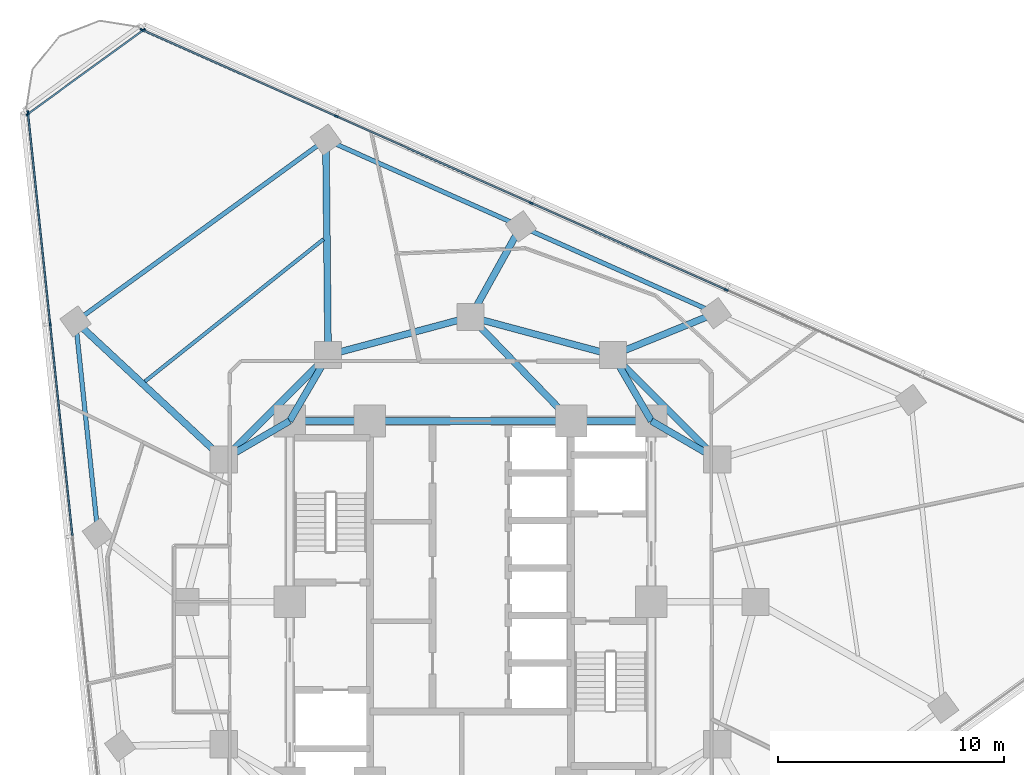
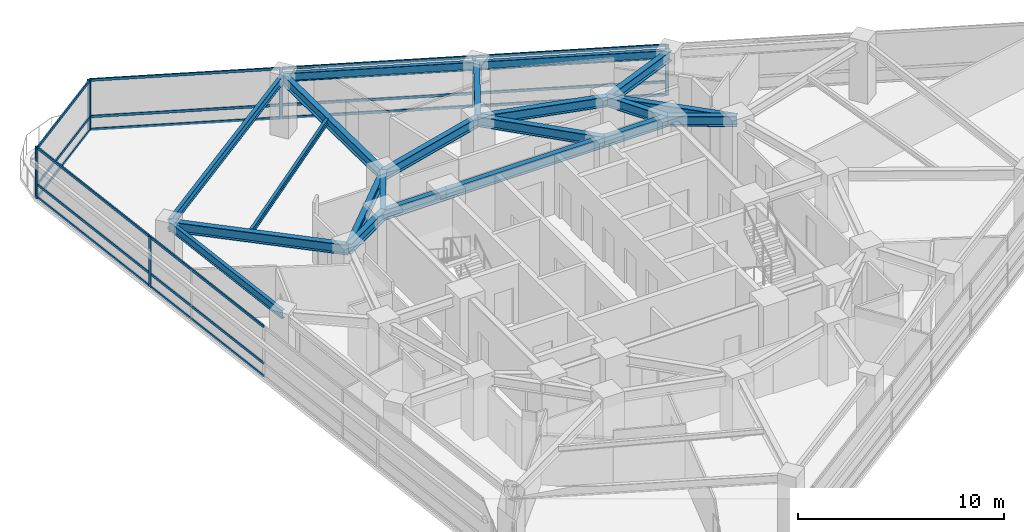
# One storey, part 5 of 14: 26 members, 21 beams, 3 elements without a shape of their own.
"""IFC4 building model written with IfcOpenShell, lengths in metres."""

from ifc_helpers import new_model, si_unit, direction, frame, origin, origin_2d, place, context, subcontext, project, spatial, rectangle, i_section, extrude, material, layer, layer_set, material_profile, profile_set, type_object, element, aggregate, save


model = new_model("IFC4")

# Units and contexts
model_context = context("Model", 3, precision=1e-05, world=origin(), true_north=direction((0.0, 1.0)))
body_context = subcontext(model_context, "Body", "Model", "MODEL_VIEW")
ifc_project = project(units=[si_unit("LENGTHUNIT", "METRE"), si_unit("AREAUNIT", "SQUARE_METRE"), si_unit("VOLUMEUNIT", "CUBIC_METRE"), si_unit("PLANEANGLEUNIT", "RADIAN"), si_unit("MASSUNIT", "GRAM", prefix="KILO")], contexts=[model_context])

# Site, building, storey
site_placement = place(None, origin())
site = spatial("IfcSite", under=ifc_project, at=site_placement, CompositionType="ELEMENT")
building_placement = place(site_placement, origin())
building = spatial("IfcBuilding", under=site, at=building_placement, Name="Terralouvre Media Tower", CompositionType="ELEMENT")
storey_placement = place(building_placement, frame((0.0, 0.0, 165.699951171875)))
storey = spatial("IfcBuildingStorey", under=building, at=storey_placement, Name="L42", CompositionType="ELEMENT", Elevation=165.699951171875)

# Beam
ifc_material_1 = material(Name="Structural steel S355J2", Category="steel")
ifc_material_profile_1 = material_profile(ifc_material_1, i_section(OverallWidth=0.159912109375, OverallDepth=0.330078125, WebThickness=0.007568359375, FlangeThickness=0.011474609375, at=origin_2d()), Name="IPE 330")
ifc_profile_set_1 = profile_set([ifc_material_profile_1], Name="Structural steel S355J2")
beam_type_1 = type_object("IfcBeamType", Name="Composite Floor Joist J-IPE330 (IPE 330)", PredefinedType="JOIST", material=ifc_profile_set_1)
beam_1_placement = place(storey_placement, frame((-6.500732421875, 16.037841796875, 3.3349609375), z_axis=(-0.782373963914, -0.622808943891, 0.0), x_axis=(0.622808943891, -0.782373963914, 0.0)))
element("IfcBeam", 1, at=beam_1_placement, inside=storey, type_object=beam_type_1, Name="L42 Framing Beam JT-L42-05", PredefinedType="JOIST", context=body_context, shape_type="SweptSolid", body=[
    extrude(i_section(OverallWidth=0.159912109375, OverallDepth=0.330078125, WebThickness=0.007568359375, FlangeThickness=0.011474609375, at=origin_2d()), origin(), (0.0, 0.0, 1.0), 10.0966796875),
])

# Curtain wall, members
ifc_material_2 = material(Name="Low-iron laminated double glazing with solar-control coating", Category="glass")
ifc_layer_1 = layer(ifc_material_2, 0.1650390625, Name="Production Studio Tower Curtain Wall CW-03")
ifc_layer_set_1 = layer_set([ifc_layer_1], Name="Low-iron laminated double glazing with solar-control coating")
curtain_wall_type_1 = type_object("IfcCurtainWallType", Name="Production Studio Tower Curtain Wall CW-03", PredefinedType="NOTDEFINED", material=ifc_layer_set_1)
curtain_wall_1_placement = place(storey_placement, origin())
curtain_wall_1 = element("IfcCurtainWall", 2, at=curtain_wall_1_placement, inside=storey, type_object=curtain_wall_type_1, Name="L42 Facade Curtain Wall F1", PredefinedType="NOTDEFINED")
ifc_material_3 = material(Name="Anodised extruded aluminium 6063-T6", Category="aluminium")
ifc_material_profile_2 = material_profile(ifc_material_3, rectangle(XDim=0.074951171875, YDim=0.14990234375, at=origin_2d()), Name="ALU 75x150")
ifc_profile_set_2 = profile_set([ifc_material_profile_2], Name="Anodised extruded aluminium 6063-T6")
member_type_1 = type_object("IfcMemberType", Name="Curtain-Wall Horizontal Transom TR-150", PredefinedType="USERDEFINED", material=ifc_profile_set_2)
member_1_placement = place(storey_placement, frame((11.27587890625, 13.8134765625, 0.03759765625), z_axis=(-0.913546899195, 0.40673340528, 0.0), x_axis=(-0.40673340528, -0.913546899195, 0.0)))
member_1 = element("IfcMember", 3, at=member_1_placement, type_object=member_type_1, Name="CW-03 transom 3.1", ObjectType="TRANSOM", PredefinedType="USERDEFINED", context=body_context, shape_type="SweptSolid", body=[
    extrude(rectangle(XDim=0.074951171875, YDim=0.14990234375, at=origin_2d()), origin(), (0.0, 0.0, 1.0), 9.364990234375),
])
member_2_placement = place(storey_placement, frame((11.27587890625, 13.8134765625, 0.800048828125), z_axis=(-0.913546899195, 0.40673340528, 0.0), x_axis=(-0.40673340528, -0.913546899195, 0.0)))
member_2 = element("IfcMember", 4, at=member_2_placement, type_object=member_type_1, Name="CW-03 transom 3.2", ObjectType="TRANSOM", PredefinedType="USERDEFINED", context=body_context, shape_type="SweptSolid", body=[
    extrude(rectangle(XDim=0.074951171875, YDim=0.14990234375, at=origin_2d()), origin(), (0.0, 0.0, 1.0), 9.364990234375),
])
member_3_placement = place(storey_placement, frame((11.27587890625, 13.8134765625, 2.962646484375), z_axis=(-0.913546899195, 0.40673340528, 0.0), x_axis=(-0.40673340528, -0.913546899195, 0.0)))
member_3 = element("IfcMember", 5, at=member_3_placement, type_object=member_type_1, Name="CW-03 transom 3.3", ObjectType="TRANSOM", PredefinedType="USERDEFINED", context=body_context, shape_type="SweptSolid", body=[
    extrude(rectangle(XDim=0.074951171875, YDim=0.14990234375, at=origin_2d()), origin(), (0.0, 0.0, 1.0), 9.364990234375),
])
member_4_placement = place(storey_placement, frame((2.65185546875, 17.653076171875, 0.03759765625), z_axis=(-0.913546899195, 0.40673340528, 0.0), x_axis=(-0.40673340528, -0.913546899195, 0.0)))
member_4 = element("IfcMember", 6, at=member_4_placement, type_object=member_type_1, Name="CW-03 transom 4.1", ObjectType="TRANSOM", PredefinedType="USERDEFINED", context=body_context, shape_type="SweptSolid", body=[
    extrude(rectangle(XDim=0.074951171875, YDim=0.14990234375, at=origin_2d()), origin(), (0.0, 0.0, 1.0), 9.364990234375),
])
member_5_placement = place(storey_placement, frame((2.65185546875, 17.653076171875, 0.800048828125), z_axis=(-0.913546899195, 0.40673340528, 0.0), x_axis=(-0.40673340528, -0.913546899195, 0.0)))
member_5 = element("IfcMember", 7, at=member_5_placement, type_object=member_type_1, Name="CW-03 transom 4.2", ObjectType="TRANSOM", PredefinedType="USERDEFINED", context=body_context, shape_type="SweptSolid", body=[
    extrude(rectangle(XDim=0.074951171875, YDim=0.14990234375, at=origin_2d()), origin(), (0.0, 0.0, 1.0), 9.364990234375),
])
member_6_placement = place(storey_placement, frame((2.65185546875, 17.653076171875, 2.962646484375), z_axis=(-0.913546899195, 0.40673340528, 0.0), x_axis=(-0.40673340528, -0.913546899195, 0.0)))
member_6 = element("IfcMember", 8, at=member_6_placement, type_object=member_type_1, Name="CW-03 transom 4.3", ObjectType="TRANSOM", PredefinedType="USERDEFINED", context=body_context, shape_type="SweptSolid", body=[
    extrude(rectangle(XDim=0.074951171875, YDim=0.14990234375, at=origin_2d()), origin(), (0.0, 0.0, 1.0), 9.364990234375),
])
member_7_placement = place(storey_placement, frame((-5.971923828125, 21.49267578125, 0.03759765625), z_axis=(-0.913553401339, 0.406718800774, 0.0), x_axis=(-0.406718800774, -0.913553401339, 0.0)))
member_7 = element("IfcMember", 9, at=member_7_placement, type_object=member_type_1, Name="CW-03 transom 5.1", ObjectType="TRANSOM", PredefinedType="USERDEFINED", context=body_context, shape_type="SweptSolid", body=[
    extrude(rectangle(XDim=0.074951171875, YDim=0.14990234375, at=origin_2d()), origin(), (0.0, 0.0, 1.0), 9.32763671875),
])
member_8_placement = place(storey_placement, frame((-5.971923828125, 21.49267578125, 0.800048828125), z_axis=(-0.913553401339, 0.406718800774, 0.0), x_axis=(-0.406718800774, -0.913553401339, 0.0)))
member_8 = element("IfcMember", 10, at=member_8_placement, type_object=member_type_1, Name="CW-03 transom 5.2", ObjectType="TRANSOM", PredefinedType="USERDEFINED", context=body_context, shape_type="SweptSolid", body=[
    extrude(rectangle(XDim=0.074951171875, YDim=0.14990234375, at=origin_2d()), origin(), (0.0, 0.0, 1.0), 9.32763671875),
])
member_9_placement = place(storey_placement, frame((-5.971923828125, 21.49267578125, 2.962646484375), z_axis=(-0.913553401339, 0.406718800774, 0.0), x_axis=(-0.406718800774, -0.913553401339, 0.0)))
member_9 = element("IfcMember", 11, at=member_9_placement, type_object=member_type_1, Name="CW-03 transom 5.3", ObjectType="TRANSOM", PredefinedType="USERDEFINED", context=body_context, shape_type="SweptSolid", body=[
    extrude(rectangle(XDim=0.074951171875, YDim=0.14990234375, at=origin_2d()), origin(), (0.0, 0.0, 1.0), 9.32763671875),
])

curtain_wall_2_placement = place(storey_placement, origin())
curtain_wall_2 = element("IfcCurtainWall", 12, at=curtain_wall_2_placement, inside=storey, type_object=curtain_wall_type_1, Name="L42 Facade Curtain Wall F2", PredefinedType="NOTDEFINED")
member_10_placement = place(storey_placement, frame((-19.5703125, 21.59765625, 0.03759765625), z_axis=(0.104540358364, -0.994520645071, 0.0), x_axis=(0.994520645071, 0.104540358364, 0.0)))
member_10 = element("IfcMember", 13, at=member_10_placement, type_object=member_type_1, Name="CW-03 transom 1.1", ObjectType="TRANSOM", PredefinedType="USERDEFINED", context=body_context, shape_type="SweptSolid", body=[
    extrude(rectangle(XDim=0.074951171875, YDim=0.14990234375, at=origin_2d()), origin(), (0.0, 0.0, 1.0), 9.327392578125),
])
member_11_placement = place(storey_placement, frame((-19.5703125, 21.59765625, 0.800048828125), z_axis=(0.104540358364, -0.994520645071, 0.0), x_axis=(0.994520645071, 0.104540358364, 0.0)))
member_11 = element("IfcMember", 14, at=member_11_placement, type_object=member_type_1, Name="CW-03 transom 1.2", ObjectType="TRANSOM", PredefinedType="USERDEFINED", context=body_context, shape_type="SweptSolid", body=[
    extrude(rectangle(XDim=0.074951171875, YDim=0.14990234375, at=origin_2d()), origin(), (0.0, 0.0, 1.0), 9.327392578125),
])
member_12_placement = place(storey_placement, frame((-19.5703125, 21.59765625, 2.962646484375), z_axis=(0.104540358364, -0.994520645071, 0.0), x_axis=(0.994520645071, 0.104540358364, 0.0)))
member_12 = element("IfcMember", 15, at=member_12_placement, type_object=member_type_1, Name="CW-03 transom 1.3", ObjectType="TRANSOM", PredefinedType="USERDEFINED", context=body_context, shape_type="SweptSolid", body=[
    extrude(rectangle(XDim=0.074951171875, YDim=0.14990234375, at=origin_2d()), origin(), (0.0, 0.0, 1.0), 9.327392578125),
])
member_13_placement = place(storey_placement, frame((-18.58740234375, 12.24658203125, 0.03759765625), z_axis=(0.104538223456, -0.994520869483, 0.0), x_axis=(0.994520869483, 0.104538223456, 0.0)))
member_13 = element("IfcMember", 16, at=member_13_placement, type_object=member_type_1, Name="CW-03 transom 2.1", ObjectType="TRANSOM", PredefinedType="USERDEFINED", context=body_context, shape_type="SweptSolid", body=[
    extrude(rectangle(XDim=0.074951171875, YDim=0.14990234375, at=origin_2d()), origin(), (0.0, 0.0, 1.0), 9.364990234375),
])
member_14_placement = place(storey_placement, frame((-18.58740234375, 12.24658203125, 0.800048828125), z_axis=(0.104538223456, -0.994520869483, 0.0), x_axis=(0.994520869483, 0.104538223456, 0.0)))
member_14 = element("IfcMember", 17, at=member_14_placement, type_object=member_type_1, Name="CW-03 transom 2.2", ObjectType="TRANSOM", PredefinedType="USERDEFINED", context=body_context, shape_type="SweptSolid", body=[
    extrude(rectangle(XDim=0.074951171875, YDim=0.14990234375, at=origin_2d()), origin(), (0.0, 0.0, 1.0), 9.364990234375),
])
member_15_placement = place(storey_placement, frame((-18.58740234375, 12.24658203125, 2.962646484375), z_axis=(0.104538223456, -0.994520869483, 0.0), x_axis=(0.994520869483, 0.104538223456, 0.0)))
member_15 = element("IfcMember", 18, at=member_15_placement, type_object=member_type_1, Name="CW-03 transom 2.3", ObjectType="TRANSOM", PredefinedType="USERDEFINED", context=body_context, shape_type="SweptSolid", body=[
    extrude(rectangle(XDim=0.074951171875, YDim=0.14990234375, at=origin_2d()), origin(), (0.0, 0.0, 1.0), 9.364990234375),
])

ifc_material_4 = material(Name="Low-iron laminated double glazing with solar-control coating", Category="glass")
ifc_layer_2 = layer(ifc_material_4, 0.1650390625, Name="Rounded Wind-Corner Curved Glazing CW-04")
ifc_layer_set_2 = layer_set([ifc_layer_2], Name="Low-iron laminated double glazing with solar-control coating")
curtain_wall_type_2 = type_object("IfcCurtainWallType", Name="Rounded Wind-Corner Curved Glazing CW-04", PredefinedType="NOTDEFINED", material=ifc_layer_set_2)
curtain_wall_3_placement = place(storey_placement, origin())
curtain_wall_3 = element("IfcCurtainWall", 19, at=curtain_wall_3_placement, inside=storey, type_object=curtain_wall_type_2, Name="L42 Rounded Wind-Corner Curtain Wall C2", PredefinedType="NOTDEFINED")
member_16_placement = place(storey_placement, frame((-14.4912109375, 25.269287109375, 0.03759765625), z_axis=(-0.809012644162, -0.587791239801, 0.0), x_axis=(0.587791239801, -0.809012644162, 0.0)))
member_16 = element("IfcMember", 20, at=member_16_placement, type_object=member_type_1, Name="CW-04 transom 1.1", ObjectType="TRANSOM", PredefinedType="USERDEFINED", context=body_context, shape_type="SweptSolid", body=[
    extrude(rectangle(XDim=0.074951171875, YDim=0.14990234375, at=origin_2d()), origin(), (0.0, 0.0, 1.0), 6.258544921875),
])
member_17_placement = place(storey_placement, frame((-14.4912109375, 25.269287109375, 0.800048828125), z_axis=(-0.809012644162, -0.587791239801, 0.0), x_axis=(0.587791239801, -0.809012644162, 0.0)))
member_17 = element("IfcMember", 21, at=member_17_placement, type_object=member_type_1, Name="CW-04 transom 1.2", ObjectType="TRANSOM", PredefinedType="USERDEFINED", context=body_context, shape_type="SweptSolid", body=[
    extrude(rectangle(XDim=0.074951171875, YDim=0.14990234375, at=origin_2d()), origin(), (0.0, 0.0, 1.0), 6.258544921875),
])
member_18_placement = place(storey_placement, frame((-14.4912109375, 25.269287109375, 2.962646484375), z_axis=(-0.809012644162, -0.587791239801, 0.0), x_axis=(0.587791239801, -0.809012644162, 0.0)))
member_18 = element("IfcMember", 22, at=member_18_placement, type_object=member_type_1, Name="CW-04 transom 1.3", ObjectType="TRANSOM", PredefinedType="USERDEFINED", context=body_context, shape_type="SweptSolid", body=[
    extrude(rectangle(XDim=0.074951171875, YDim=0.14990234375, at=origin_2d()), origin(), (0.0, 0.0, 1.0), 6.258544921875),
])

# Member
ifc_material_5 = material(Name="Anodised extruded aluminium 6063-T6", Category="aluminium")
ifc_material_profile_3 = material_profile(ifc_material_5, rectangle(XDim=0.074951171875, YDim=0.179931640625, at=origin_2d()), Name="ALU 75x180")
ifc_profile_set_3 = profile_set([ifc_material_profile_3], Name="Anodised extruded aluminium 6063-T6")
member_type_2 = type_object("IfcMemberType", Name="Curtain-Wall Vertical Mullion ML-180", PredefinedType="MULLION", material=ifc_profile_set_3)
member_19_placement = place(storey_placement, frame((11.31005859375, 13.798095703125, 0.0), z_axis=(0.0, 0.0, 1.0), x_axis=(-0.406736616337, -0.913545469547, 0.0)))
member_19 = element("IfcMember", 23, at=member_19_placement, type_object=member_type_2, Name="CW-03 mullion 3", PredefinedType="MULLION", context=body_context, shape_type="SweptSolid", body=[
    extrude(rectangle(XDim=0.074951171875, YDim=0.179931640625, at=origin_2d()), origin(), (0.0, 0.0, 1.0), 3.0),
])

member_20_placement = place(storey_placement, frame((2.686279296875, 17.6376953125, 0.0), z_axis=(0.0, 0.0, 1.0), x_axis=(-0.406736616337, -0.913545469547, 0.0)))
member_20 = element("IfcMember", 24, at=member_20_placement, type_object=member_type_2, Name="CW-03 mullion 4", PredefinedType="MULLION", context=body_context, shape_type="SweptSolid", body=[
    extrude(rectangle(XDim=0.074951171875, YDim=0.179931640625, at=origin_2d()), origin(), (0.0, 0.0, 1.0), 3.0),
])

member_21_placement = place(storey_placement, frame((-5.937744140625, 21.477294921875, 0.0), z_axis=(0.0, 0.0, 1.0), x_axis=(-0.406736616337, -0.913545469547, 0.0)))
member_21 = element("IfcMember", 25, at=member_21_placement, type_object=member_type_2, Name="CW-03 mullion 5", PredefinedType="MULLION", context=body_context, shape_type="SweptSolid", body=[
    extrude(rectangle(XDim=0.074951171875, YDim=0.179931640625, at=origin_2d()), origin(), (0.0, 0.0, 1.0), 3.0),
])

member_22_placement = place(storey_placement, frame((-14.52734375, 25.3017578125, 0.0), z_axis=(0.0, 0.0, 1.0), x_axis=(-0.406736616337, -0.913545469547, 0.0)))
member_22 = element("IfcMember", 26, at=member_22_placement, type_object=member_type_2, Name="CW-03 mullion 6", PredefinedType="MULLION", context=body_context, shape_type="SweptSolid", body=[
    extrude(rectangle(XDim=0.074951171875, YDim=0.179931640625, at=origin_2d()), origin(), (0.0, 0.0, 1.0), 3.0),
])

aggregate(curtain_wall_1, [member_19, member_20, member_21, member_22, member_1, member_2, member_3, member_4, member_5, member_6, member_7, member_8, member_9])

member_23_placement = place(storey_placement, frame((-19.57421875, 21.635009765625, 0.0), z_axis=(0.0, 0.0, 1.0), x_axis=(0.994521904516, 0.104528376236, 0.0)))
member_23 = element("IfcMember", 27, at=member_23_placement, type_object=member_type_2, Name="CW-03 mullion 1", PredefinedType="MULLION", context=body_context, shape_type="SweptSolid", body=[
    extrude(rectangle(XDim=0.074951171875, YDim=0.179931640625, at=origin_2d()), origin(), (0.0, 0.0, 1.0), 3.0),
])

member_24_placement = place(storey_placement, frame((-18.59130859375, 12.283935546875, 0.0), z_axis=(0.0, 0.0, 1.0), x_axis=(0.994521904516, 0.104528376236, 0.0)))
member_24 = element("IfcMember", 28, at=member_24_placement, type_object=member_type_2, Name="CW-03 mullion 2", PredefinedType="MULLION", context=body_context, shape_type="SweptSolid", body=[
    extrude(rectangle(XDim=0.074951171875, YDim=0.179931640625, at=origin_2d()), origin(), (0.0, 0.0, 1.0), 3.0),
])

aggregate(curtain_wall_2, [member_23, member_24, member_10, member_11, member_12, member_13, member_14, member_15])

member_25_placement = place(storey_placement, frame((-14.4609375, 25.291259765625, 0.0), z_axis=(0.0, 0.0, 1.0), x_axis=(0.587784641221, -0.809017438344, 0.0)))
member_25 = element("IfcMember", 29, at=member_25_placement, type_object=member_type_2, Name="CW-04 mullion 1", PredefinedType="MULLION", context=body_context, shape_type="SweptSolid", body=[
    extrude(rectangle(XDim=0.074951171875, YDim=0.179931640625, at=origin_2d()), origin(), (0.0, 0.0, 1.0), 3.0),
])

member_26_placement = place(storey_placement, frame((-19.584716796875, 21.568603515625, 0.0), z_axis=(0.0, 0.0, 1.0), x_axis=(0.587784641221, -0.809017438344, 0.0)))
member_26 = element("IfcMember", 30, at=member_26_placement, type_object=member_type_2, Name="CW-04 mullion 2", PredefinedType="MULLION", context=body_context, shape_type="SweptSolid", body=[
    extrude(rectangle(XDim=0.074951171875, YDim=0.179931640625, at=origin_2d()), origin(), (0.0, 0.0, 1.0), 3.0),
])

aggregate(curtain_wall_3, [member_25, member_26, member_16, member_17, member_18])

# Beams
ifc_material_6 = material(Name="Structural steel S355J2", Category="steel")
ifc_material_profile_4 = material_profile(ifc_material_6, i_section(OverallWidth=0.199951171875, OverallDepth=0.5, WebThickness=0.01025390625, FlangeThickness=0.01611328125, at=origin_2d()), Name="IPE 500")
ifc_profile_set_4 = profile_set([ifc_material_profile_4], Name="Structural steel S355J2")
beam_type_2 = type_object("IfcBeamType", Name="Perimeter Spandrel Beam SPB-500 (IPE 500)", PredefinedType="SPANDREL", material=ifc_profile_set_4)
for number, where, z_axis, x_axis, name in (
    (31, (10.850341796875, 12.765869140625, 3.25), (-0.913543659167, 0.406740682494, 0.0), (-0.406740682494, -0.913543659167, 0.0), "L42 Framing Beam BM-L42-PR08"),
    (32, (2.2265625, 16.60546875, 3.25), (-0.913543659167, 0.406740682494, 0.0), (-0.406740682494, -0.913543659167, 0.0), "L42 Framing Beam BM-L42-PR09"),
):
    element("IfcBeam", number, at=place(storey_placement, frame(where, z_axis=z_axis, x_axis=x_axis)), inside=storey, type_object=beam_type_2, Name=name, PredefinedType="SPANDREL", context=body_context, shape_type="SweptSolid", body=[
        extrude(i_section(OverallWidth=0.199951171875, OverallDepth=0.5, WebThickness=0.01025390625, FlangeThickness=0.01611328125, at=origin_2d()), origin(), (0.0, 0.0, 1.0), 9.43994140625),
    ])
beam_2_placement = place(storey_placement, frame((-6.397216796875, 20.445068359375, 3.25), z_axis=(-0.80901991627, -0.587781230628, 0.0), x_axis=(0.587781230628, -0.80901991627, 0.0)))
element("IfcBeam", 33, at=beam_2_placement, inside=storey, type_object=beam_type_2, Name="L42 Framing Beam BM-L42-PR10", PredefinedType="SPANDREL", context=body_context, shape_type="SweptSolid", body=[
    extrude(i_section(OverallWidth=0.199951171875, OverallDepth=0.5, WebThickness=0.01025390625, FlangeThickness=0.01611328125, at=origin_2d()), origin(), (0.0, 0.0, 1.0), 13.68359375),
])
beam_3_placement = place(storey_placement, frame((-17.467529296875, 12.402099609375, 3.25), z_axis=(0.10453669331, -0.994521030321, 0.0), x_axis=(0.994521030321, 0.10453669331, 0.0)))
element("IfcBeam", 34, at=beam_3_placement, inside=storey, type_object=beam_type_2, Name="L42 Framing Beam BM-L42-PR11", PredefinedType="SPANDREL", context=body_context, shape_type="SweptSolid", body=[
    extrude(i_section(OverallWidth=0.199951171875, OverallDepth=0.5, WebThickness=0.01025390625, FlangeThickness=0.01611328125, at=origin_2d()), origin(), (0.0, 0.0, 1.0), 9.43994140625),
])
ifc_material_7 = material(Name="Structural steel S460M", Category="steel")
ifc_material_profile_5 = material_profile(ifc_material_7, i_section(OverallWidth=0.300048828125, OverallDepth=0.60009765625, WebThickness=0.015380859375, FlangeThickness=0.030029296875, at=origin_2d()), Name="HEB 600")
ifc_profile_set_5 = profile_set([ifc_material_profile_5], Name="Structural steel S460M")
beam_type_3 = type_object("IfcBeamType", Name="Primary Floor Girder B-HEB600 (HEB 600)", PredefinedType="BEAM", material=ifc_profile_set_5)
beam_4_placement = place(storey_placement, frame((8.0, 8.0, 3.199951171875), z_axis=(-1.0, 0.0, 0.0), x_axis=(0.0, -1.0, 0.0)))
element("IfcBeam", 35, at=beam_4_placement, inside=storey, type_object=beam_type_3, Name="L42 Framing Beam BM-L42-CPR06", PredefinedType="BEAM", context=body_context, shape_type="SweptSolid", body=[
    extrude(i_section(OverallWidth=0.300048828125, OverallDepth=0.60009765625, WebThickness=0.015380859375, FlangeThickness=0.030029296875, at=origin_2d()), origin(), (0.0, 0.0, 1.0), 3.550048828125),
])
beam_5_placement = place(storey_placement, frame((4.449951171875, 8.0, 3.199951171875), z_axis=(-1.0, 0.0, 0.0), x_axis=(0.0, -1.0, 0.0)))
element("IfcBeam", 36, at=beam_5_placement, inside=storey, type_object=beam_type_3, Name="L42 Framing Beam BM-L42-CPR07", PredefinedType="BEAM", context=body_context, shape_type="SweptSolid", body=[
    extrude(i_section(OverallWidth=0.300048828125, OverallDepth=0.60009765625, WebThickness=0.015380859375, FlangeThickness=0.030029296875, at=origin_2d()), origin(), (0.0, 0.0, 1.0), 8.89990234375),
])
beam_6_placement = place(storey_placement, frame((-4.449951171875, 8.0, 3.199951171875), z_axis=(-1.0, 0.0, 0.0), x_axis=(0.0, -1.0, 0.0)))
element("IfcBeam", 37, at=beam_6_placement, inside=storey, type_object=beam_type_3, Name="L42 Framing Beam BM-L42-CPR08", PredefinedType="BEAM", context=body_context, shape_type="SweptSolid", body=[
    extrude(i_section(OverallWidth=0.300048828125, OverallDepth=0.60009765625, WebThickness=0.015380859375, FlangeThickness=0.030029296875, at=origin_2d()), origin(), (0.0, 0.0, 1.0), 3.550048828125),
])
beam_7_placement = place(storey_placement, frame((10.911865234375, 6.300048828125, 3.199951171875), z_axis=(-0.707106781187, 0.707106781187, 0.0), x_axis=(-0.707106781187, -0.707106781187, 0.0)))
element("IfcBeam", 38, at=beam_7_placement, inside=storey, type_object=beam_type_3, Name="L42 Framing Beam BM-L42-MR07", PredefinedType="BEAM", context=body_context, shape_type="SweptSolid", body=[
    extrude(i_section(OverallWidth=0.300048828125, OverallDepth=0.60009765625, WebThickness=0.015380859375, FlangeThickness=0.030029296875, at=origin_2d()), origin(), (0.0, 0.0, 1.0), 6.52197265625),
])
for number, where, z_axis, x_axis, name in (
    (39, (6.300048828125, 10.911865234375, 3.199951171875), (-0.965920481897, 0.258838989821, 0.0), (-0.258838989821, -0.965920481897, 0.0), "L42 Framing Beam BM-L42-MR08"),
    (40, (0.0, 12.60009765625, 3.199951171875), (-0.965920481897, -0.258838989821, 0.0), (0.258838989821, -0.965920481897, 0.0), "L42 Framing Beam BM-L42-MR09"),
):
    element("IfcBeam", number, at=place(storey_placement, frame(where, z_axis=z_axis, x_axis=x_axis)), inside=storey, type_object=beam_type_3, Name=name, PredefinedType="BEAM", context=body_context, shape_type="SweptSolid", body=[
        extrude(i_section(OverallWidth=0.300048828125, OverallDepth=0.60009765625, WebThickness=0.015380859375, FlangeThickness=0.030029296875, at=origin_2d()), origin(), (0.0, 0.0, 1.0), 6.522216796875),
    ])
beam_8_placement = place(storey_placement, frame((-6.300048828125, 10.911865234375, 3.199951171875), z_axis=(-0.707106781187, -0.707106781187, 0.0), x_axis=(0.707106781187, -0.707106781187, 0.0)))
element("IfcBeam", 41, at=beam_8_placement, inside=storey, type_object=beam_type_3, Name="L42 Framing Beam BM-L42-MR10", PredefinedType="BEAM", context=body_context, shape_type="SweptSolid", body=[
    extrude(i_section(OverallWidth=0.300048828125, OverallDepth=0.60009765625, WebThickness=0.015380859375, FlangeThickness=0.030029296875, at=origin_2d()), origin(), (0.0, 0.0, 1.0), 6.52197265625),
])
for number, where, z_axis, x_axis, name in (
    (42, (8.0, 8.0, 3.199951171875), (0.863602894532, -0.504172629717, 0.0), (0.504172629717, 0.863602894532, 0.0), "L42 Framing Beam BM-L42-CM07"),
    (43, (8.0, 8.0, 3.199951171875), (-0.504172629717, 0.863602894532, 0.0), (-0.863602894532, -0.504172629717, 0.0), "L42 Framing Beam BM-L42-CM08"),
):
    element("IfcBeam", number, at=place(storey_placement, frame(where, z_axis=z_axis, x_axis=x_axis)), inside=storey, type_object=beam_type_3, Name=name, PredefinedType="BEAM", context=body_context, shape_type="SweptSolid", body=[
        extrude(i_section(OverallWidth=0.300048828125, OverallDepth=0.60009765625, WebThickness=0.015380859375, FlangeThickness=0.030029296875, at=origin_2d()), origin(), (0.0, 0.0, 1.0), 3.371826171875),
    ])
beam_9_placement = place(storey_placement, frame((4.449951171875, 8.0, 3.199951171875), z_axis=(-0.695279715726, 0.718739255155, 0.0), x_axis=(-0.718739255155, -0.695279715726, 0.0)))
element("IfcBeam", 44, at=beam_9_placement, inside=storey, type_object=beam_type_3, Name="L42 Framing Beam BM-L42-CM09", PredefinedType="BEAM", context=body_context, shape_type="SweptSolid", body=[
    extrude(i_section(OverallWidth=0.300048828125, OverallDepth=0.60009765625, WebThickness=0.015380859375, FlangeThickness=0.030029296875, at=origin_2d()), origin(), (0.0, 0.0, 1.0), 6.400146484375),
])
for number, where, z_axis, x_axis, name in (
    (45, (-8.0, 8.0, 3.199951171875), (0.504172629717, 0.863602894532, 0.0), (-0.863602894532, 0.504172629717, 0.0), "L42 Framing Beam BM-L42-CM10"),
    (46, (-8.0, 8.0, 3.199951171875), (-0.863602894532, -0.504172629717, 0.0), (0.504172629717, -0.863602894532, 0.0), "L42 Framing Beam BM-L42-CM11"),
):
    element("IfcBeam", number, at=place(storey_placement, frame(where, z_axis=z_axis, x_axis=x_axis)), inside=storey, type_object=beam_type_3, Name=name, PredefinedType="BEAM", context=body_context, shape_type="SweptSolid", body=[
        extrude(i_section(OverallWidth=0.300048828125, OverallDepth=0.60009765625, WebThickness=0.015380859375, FlangeThickness=0.030029296875, at=origin_2d()), origin(), (0.0, 0.0, 1.0), 3.371826171875),
    ])
beam_10_placement = place(storey_placement, frame((6.300048828125, 10.911865234375, 3.199951171875), z_axis=(0.926079498884, 0.377328453403, 0.0), x_axis=(-0.377328453403, 0.926079498884, 0.0)))
element("IfcBeam", 47, at=beam_10_placement, inside=storey, type_object=beam_type_3, Name="L42 Framing Beam BM-L42-RD08", PredefinedType="BEAM", context=body_context, shape_type="SweptSolid", body=[
    extrude(i_section(OverallWidth=0.300048828125, OverallDepth=0.60009765625, WebThickness=0.015380859375, FlangeThickness=0.030029296875, at=origin_2d()), origin(), (0.0, 0.0, 1.0), 4.91357421875),
])
beam_11_placement = place(storey_placement, frame((0.0, 12.60009765625, 3.199951171875), z_axis=(0.485869082881, 0.874031597999, 0.0), x_axis=(-0.874031597999, 0.485869082881, 0.0)))
element("IfcBeam", 48, at=beam_11_placement, inside=storey, type_object=beam_type_3, Name="L42 Framing Beam BM-L42-RD09", PredefinedType="BEAM", context=body_context, shape_type="SweptSolid", body=[
    extrude(i_section(OverallWidth=0.300048828125, OverallDepth=0.60009765625, WebThickness=0.015380859375, FlangeThickness=0.030029296875, at=origin_2d()), origin(), (0.0, 0.0, 1.0), 4.58251953125),
])
beam_12_placement = place(storey_placement, frame((-6.300048828125, 10.911865234375, 3.199951171875), z_axis=(-0.010192054081, 0.999948059668, 0.0), x_axis=(-0.999948059668, -0.010192054081, 0.0)))
element("IfcBeam", 49, at=beam_12_placement, inside=storey, type_object=beam_type_3, Name="L42 Framing Beam BM-L42-RD10", PredefinedType="BEAM", context=body_context, shape_type="SweptSolid", body=[
    extrude(i_section(OverallWidth=0.300048828125, OverallDepth=0.60009765625, WebThickness=0.015380859375, FlangeThickness=0.030029296875, at=origin_2d()), origin(), (0.0, 0.0, 1.0), 9.53369140625),
])
beam_13_placement = place(storey_placement, frame((-10.911865234375, 6.300048828125, 3.199951171875), z_axis=(-0.731977414873, 0.6813288957, 0.0), x_axis=(-0.6813288957, -0.731977414873, 0.0)))
element("IfcBeam", 50, at=beam_13_placement, inside=storey, type_object=beam_type_3, Name="L42 Framing Beam BM-L42-RD11", PredefinedType="BEAM", context=body_context, shape_type="SweptSolid", body=[
    extrude(i_section(OverallWidth=0.300048828125, OverallDepth=0.60009765625, WebThickness=0.015380859375, FlangeThickness=0.030029296875, at=origin_2d()), origin(), (0.0, 0.0, 1.0), 8.9560546875),
])

save(model, "model.ifc")
